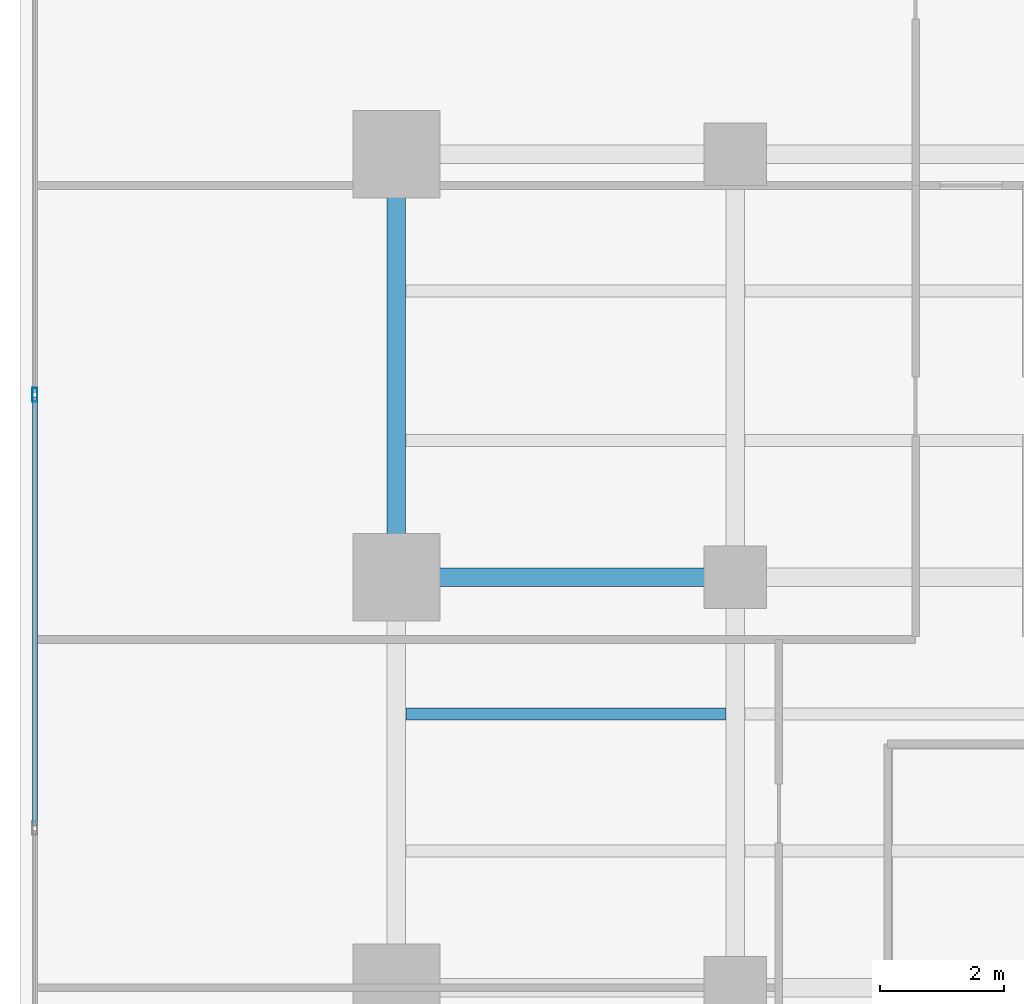
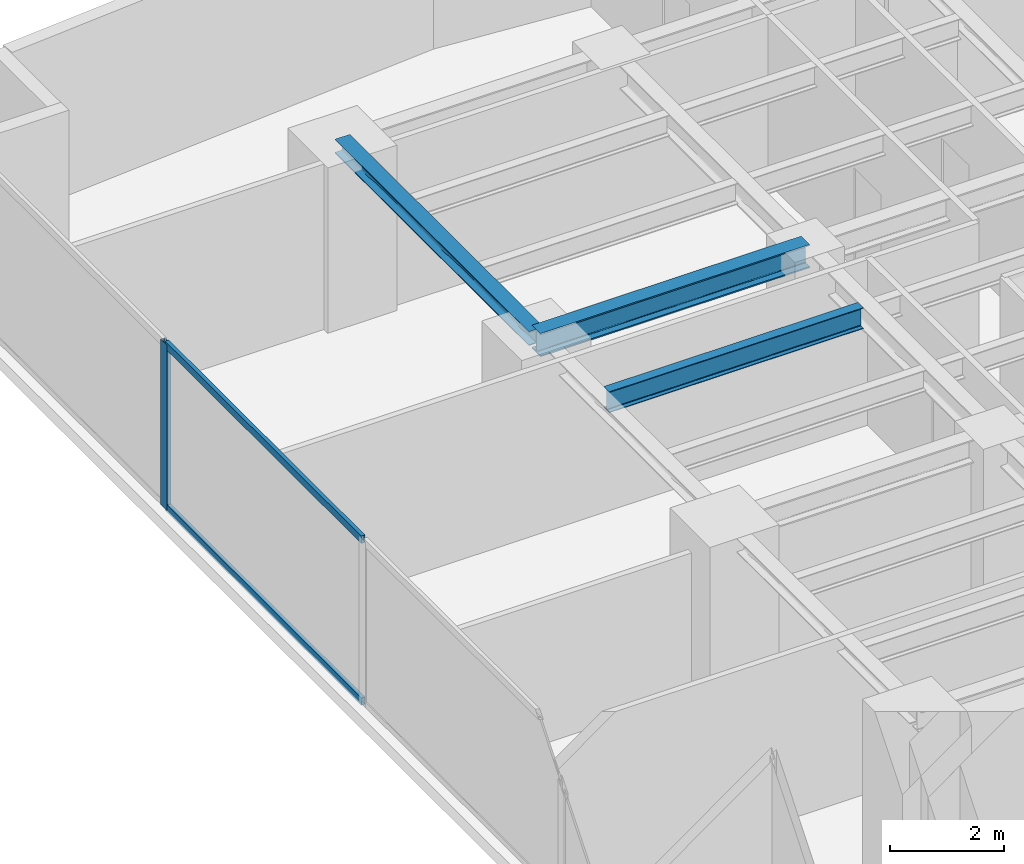
# One storey, part 15 of 27: 3 beams, 3 members, 1 element without a shape of its own.
"""IFC4 building model written with IfcOpenShell, lengths in metres."""

import ifcopenshell
import ifcopenshell.guid

model = None  # the IFC model being written
_history = None  # IfcOwnerHistory: only IFC2X3 demands one
_inside = {}  # id of a spatial element -> (the spatial element, [elements in it])
_under = {}  # id of a project, library or spatial element -> (it, [spatial elements below it])
_declared = {}  # id of a project -> (the project, [libraries it declares])
_typed = {}  # id of a type object -> (the type object, [elements of that type])
_made_of = {}  # id of a material, layer set ... -> (it, [elements and type objects made of it])


def new_model(schema):
    """Start an empty IFC model of exactly this schema.

    Asked for "IFC4X3", IfcOpenShell would pick the latest addendum, in which some entities
    have other attributes; the version numbers below select the first issue.
    IFC2X3 requires an IfcOwnerHistory on every rooted entity: one is made here for all.
    """
    global model, _history
    if schema == "IFC4X3":
        model = ifcopenshell.file(schema_version=(4, 3, 0, 0))
    else:
        model = ifcopenshell.file(schema=schema)
    _inside.clear()
    _under.clear()
    _declared.clear()
    _typed.clear()
    _made_of.clear()
    _history = None
    if model.schema == "IFC2X3":
        org = make("IfcOrganization", Name="unknown")
        user = make(
            "IfcPersonAndOrganization",
            ThePerson=make("IfcPerson", FamilyName="unknown"),
            TheOrganization=org,
        )
        app = make(
            "IfcApplication",
            ApplicationDeveloper=org,
            Version="unknown",
            ApplicationFullName="unknown",
            ApplicationIdentifier="unknown",
        )
        _history = make(
            "IfcOwnerHistory",
            OwningUser=user,
            OwningApplication=app,
            ChangeAction="ADDED",
            CreationDate=0,
        )
    return model


def make(cls, **values):
    """One entity of the class cls with the attributes given. An attribute that is None is left unset."""
    return model.create_entity(
        cls, **{name: value for name, value in values.items() if value is not None}
    )


def rooted(cls, **values):
    """An entity with a GlobalId (a new one), such as an element, a storey or a relation."""
    return make(cls, GlobalId=ifcopenshell.guid.new(), OwnerHistory=_history, **values)


def si_unit(unit_type, name, prefix=None):
    """IfcSIUnit, for example si_unit("LENGTHUNIT", "METRE", prefix="MILLI")."""
    return make("IfcSIUnit", UnitType=unit_type, Prefix=prefix, Name=name)


def assignment(units):
    """IfcUnitAssignment: the units of a project."""
    return None if units is None else make("IfcUnitAssignment", Units=units)


def point(xyz):
    """IfcCartesianPoint."""
    return None if xyz is None else make("IfcCartesianPoint", Coordinates=xyz)


def direction(xyz):
    """IfcDirection."""
    return None if xyz is None else make("IfcDirection", DirectionRatios=xyz)


def frame(location, z_axis=None, x_axis=None):
    """IfcAxis2Placement3D, a coordinate frame: its origin and axes. An axis left out is left unset."""
    return make(
        "IfcAxis2Placement3D",
        Location=point(location),
        Axis=direction(z_axis),
        RefDirection=direction(x_axis),
    )


def frame_2d(location, x_axis=None):
    """IfcAxis2Placement2D, a coordinate frame in the plane: its origin and x axis."""
    return make(
        "IfcAxis2Placement2D", Location=point(location), RefDirection=direction(x_axis)
    )


def origin():
    """The frame at (0, 0, 0) with its axes left unset."""
    return frame((0.0, 0.0, 0.0))


def origin_with_axes():
    """The frame at (0, 0, 0) with the z axis (0, 0, 1) and the x axis (1, 0, 0) written out."""
    return frame((0.0, 0.0, 0.0), z_axis=(0.0, 0.0, 1.0), x_axis=(1.0, 0.0, 0.0))


def origin_2d():
    """The frame at (0, 0) in the plane with its x axis left unset."""
    return frame_2d((0.0, 0.0))


def place(relative_to, where):
    """IfcLocalPlacement: puts the frame where relative to a parent placement (None: the world)."""
    return make(
        "IfcLocalPlacement", PlacementRelTo=relative_to, RelativePlacement=where
    )


def context(
    kind, dimensions, precision=None, world=None, true_north=None, identifier=None
):
    """IfcGeometricRepresentationContext, for example the 3D "Model" context."""
    return make(
        "IfcGeometricRepresentationContext",
        ContextIdentifier=identifier,
        ContextType=kind,
        CoordinateSpaceDimension=dimensions,
        Precision=precision,
        WorldCoordinateSystem=world,
        TrueNorth=true_north,
    )


def subcontext(parent, identifier, kind, view, scale=None):
    """IfcGeometricRepresentationSubContext, for example "Body" below "Model"."""
    return make(
        "IfcGeometricRepresentationSubContext",
        ContextIdentifier=identifier,
        ContextType=kind,
        ParentContext=parent,
        TargetScale=scale,
        TargetView=view,
    )


def project(units=None, contexts=None):
    """IfcProject with its units and contexts."""
    return rooted(
        "IfcProject",
        Name="project",
        RepresentationContexts=contexts,
        UnitsInContext=assignment(units),
    )


def spatial(cls, under=None, at=None, **own):
    """A site, building, storey or space (cls), placed at a placement, below another one or the project."""
    s = rooted(cls, ObjectPlacement=at, **own)
    if under is not None:
        _under.setdefault(under.id(), (under, []))[1].append(s)
    return s


def profile(cls, at=None, kind="AREA", **sizes):
    """A parametric profile (cls). Its sizes go by their IFC names, for example OverallWidth=200.0."""
    return make(cls, ProfileType=kind, Position=at, **sizes)


def hollow_rectangle(**sizes):
    """IfcRectangleHollowProfileDef."""
    return profile("IfcRectangleHollowProfileDef", **sizes)


def i_section(**sizes):
    """IfcIShapeProfileDef."""
    return profile("IfcIShapeProfileDef", **sizes)


def extrude(swept, where, along, depth):
    """IfcExtrudedAreaSolid: the profile swept, set in the frame where, extruded along a direction by depth."""
    return make(
        "IfcExtrudedAreaSolid",
        SweptArea=swept,
        Position=where,
        ExtrudedDirection=direction(along),
        Depth=depth,
    )


def shape(context_of_items, identifier, shape_type, items):
    """IfcShapeRepresentation: the items that make up one representation, for example the "Body"."""
    return make(
        "IfcShapeRepresentation",
        ContextOfItems=context_of_items,
        RepresentationIdentifier=identifier,
        RepresentationType=shape_type,
        Items=items,
    )


def source(mapping_origin, context_of_items, identifier, shape_type, items):
    """IfcRepresentationMap: a shape defined once, which mapped items show again and again."""
    return make(
        "IfcRepresentationMap",
        MappingOrigin=mapping_origin,
        MappedRepresentation=shape(context_of_items, identifier, shape_type, items),
    )


def transform(
    local_origin,
    x_axis=None,
    y_axis=None,
    z_axis=None,
    scale=None,
    scale2=None,
    scale3=None,
    uniform=True,
):
    """IfcCartesianTransformationOperator3D, or its non-uniform kind. x_axis, y_axis, z_axis: its Axis1, 2, 3."""
    if uniform:
        return make(
            "IfcCartesianTransformationOperator3D",
            Axis1=direction(x_axis),
            Axis2=direction(y_axis),
            LocalOrigin=point(local_origin),
            Scale=scale,
            Axis3=direction(z_axis),
        )
    return make(
        "IfcCartesianTransformationOperator3DnonUniform",
        Axis1=direction(x_axis),
        Axis2=direction(y_axis),
        LocalOrigin=point(local_origin),
        Scale=scale,
        Axis3=direction(z_axis),
        Scale2=scale2,
        Scale3=scale3,
    )


def mapped(mapping_source, mapping_target):
    """IfcMappedItem: shows the shape of a source again, moved by a transform."""
    return make(
        "IfcMappedItem", MappingSource=mapping_source, MappingTarget=mapping_target
    )


def material(Name=None, Category=None):
    """IfcMaterial."""
    return make("IfcMaterial", Name=Name, Category=Category)


def layer(
    of_material, thickness, ventilated=None, Name=None, Category=None, Priority=None
):
    """IfcMaterialLayer: one layer of a wall or slab, of a material (None: an air gap)."""
    return make(
        "IfcMaterialLayer",
        Material=of_material,
        LayerThickness=thickness,
        IsVentilated=ventilated,
        Name=Name,
        Category=Category,
        Priority=Priority,
    )


def layer_set(layers, Name=None):
    """IfcMaterialLayerSet."""
    return make("IfcMaterialLayerSet", MaterialLayers=layers, LayerSetName=Name)


def material_profile(
    of_material, cross_section, Name=None, Category=None, Priority=None
):
    """IfcMaterialProfile: a cross section and its material."""
    return make(
        "IfcMaterialProfile",
        Name=Name,
        Material=of_material,
        Profile=cross_section,
        Priority=Priority,
        Category=Category,
    )


def profile_set(profiles, Name=None, composite=None):
    """IfcMaterialProfileSet."""
    return make(
        "IfcMaterialProfileSet",
        Name=Name,
        MaterialProfiles=profiles,
        CompositeProfile=composite,
    )


def made_of(thing, what):
    """Note that an element or type object is made of a material, layer set ...; save() writes the relation."""
    if what is not None:
        _made_of.setdefault(what.id(), (what, []))[1].append(thing)
    return thing


def type_object(cls, material=None, **own):
    """A type object (cls), such as IfcWallType, which elements share."""
    return made_of(rooted(cls, **own), material)


def element(
    cls,
    number,
    at=None,
    inside=None,
    cuts=None,
    type_object=None,
    material=None,
    context=None,
    identifier="Body",
    shape_type=None,
    held_by="IfcProductDefinitionShape",
    body=None,
    shapes=None,
    **own,
):
    """One element of the class cls, such as IfcWall. Its Tag is "e" and its number.

    at: its placement. inside: the storey or other place that contains it. cuts: it is an
    opening in that element (IfcRelVoidsElement). A single representation is given by context,
    identifier, shape_type and body (its items); several are given by shapes. held_by: the class
    of the entity that holds the representations. save() writes the other relations.
    """
    e = rooted(cls, Tag="e%d" % number, ObjectPlacement=at, **own)
    if body is not None:
        shapes = [shape(context, identifier, shape_type, body)]
    if shapes is not None:
        e.Representation = make(held_by, Representations=shapes)
    if inside is not None:
        _inside.setdefault(inside.id(), (inside, []))[1].append(e)
    if cuts is not None:
        rooted(
            "IfcRelVoidsElement", RelatingBuildingElement=cuts, RelatedOpeningElement=e
        )
    if type_object is not None:
        _typed.setdefault(type_object.id(), (type_object, []))[1].append(e)
    return made_of(e, material)


def aggregate(whole, parts):
    """IfcRelAggregates: a whole, such as a stair, and the parts it consists of."""
    return rooted("IfcRelAggregates", RelatingObject=whole, RelatedObjects=parts)


def save(model, path):
    """Write the relations noted so far, then the file.

    IfcRelAggregates (storeys below a building ...), IfcRelContainedInSpatialStructure (elements
    in a storey), IfcRelDefinesByType, IfcRelAssociatesMaterial and IfcRelDeclares: one each for
    every whole, place, type object, material and project.
    """
    for whole, parts in _under.values():
        aggregate(whole, parts)
    for where, things in _inside.values():
        rooted(
            "IfcRelContainedInSpatialStructure",
            RelatedElements=things,
            RelatingStructure=where,
        )
    for kind, things in _typed.values():
        rooted("IfcRelDefinesByType", RelatedObjects=things, RelatingType=kind)
    for what, things in _made_of.values():
        rooted("IfcRelAssociatesMaterial", RelatedObjects=things, RelatingMaterial=what)
    for by, libraries in _declared.values():
        rooted("IfcRelDeclares", RelatingContext=by, RelatedDefinitions=libraries)
    model.write(path)


model = new_model("IFC4")

# Units and contexts
model_context = context("Model", 3, precision=1e-05, world=origin(), true_north=direction((0.0, 1.0)))
body_context = subcontext(model_context, "Body", "Model", "MODEL_VIEW")
ifc_project = project(units=[si_unit("LENGTHUNIT", "METRE"), si_unit("AREAUNIT", "SQUARE_METRE"), si_unit("VOLUMEUNIT", "CUBIC_METRE"), si_unit("PLANEANGLEUNIT", "RADIAN"), si_unit("MASSUNIT", "GRAM", prefix="KILO")], contexts=[model_context])

# Site, building, storey
site_placement = place(None, origin())
site = spatial("IfcSite", under=ifc_project, at=site_placement, CompositionType="ELEMENT")
building_placement = place(site_placement, origin())
building = spatial("IfcBuilding", under=site, at=building_placement, Name="Kolvaren Waterfront Exchange", CompositionType="ELEMENT")
storey_placement = place(building_placement, frame((0.0, 0.0, 118.300048828125)))
storey = spatial("IfcBuildingStorey", under=building, at=storey_placement, Name="L30", CompositionType="ELEMENT", Elevation=118.300048828125)

# Beams
ifc_material_1 = material(Name="Steel S355", Category="steel")
ifc_material_profile_1 = material_profile(ifc_material_1, i_section(OverallWidth=0.300048828125, OverallDepth=0.300048828125, WebThickness=0.010986328125, FlangeThickness=0.01904296875, FilletRadius=0.027099609375, at=origin_2d()), Name="HEB300")
ifc_profile_set_1 = profile_set([ifc_material_profile_1], Name="Steel S355")
beam_type_1 = type_object("IfcBeamType", Name="STR-BM-HEB300", PredefinedType="SPANDREL", material=ifc_profile_set_1)
beam_1_placement = place(storey_placement, frame((7.449951171875, 37.800048828125, 3.389892578125), z_axis=(0.0, 1.0, 0.0), x_axis=(-1.0, 0.0, 0.0)))
element("IfcBeam", 1, at=beam_1_placement, inside=storey, type_object=beam_type_1, Name="L30 north-arm edge beam 3", PredefinedType="SPANDREL", context=body_context, shape_type="SweptSolid", body=[
    extrude(i_section(OverallWidth=0.300048828125, OverallDepth=0.300048828125, WebThickness=0.010986328125, FlangeThickness=0.01904296875, FilletRadius=0.027099609375, at=origin_2d()), origin(), (0.0, 0.0, 1.0), 6.800048828125),
])
ifc_material_profile_2 = material_profile(ifc_material_1, i_section(OverallWidth=0.300048828125, OverallDepth=0.5, WebThickness=0.014404296875, FlangeThickness=0.028076171875, FilletRadius=0.027099609375, at=origin_2d()), Name="HEB500")
ifc_profile_set_2 = profile_set([ifc_material_profile_2], Name="Steel S355")
beam_type_2 = type_object("IfcBeamType", Name="STR-BM-HEB500", PredefinedType="BEAM", material=ifc_profile_set_2)
beam_2_placement = place(storey_placement, frame((7.449951171875, 37.800048828125, 3.2900390625), z_axis=(1.0, 0.0, 0.0), x_axis=(0.0, 1.0, 0.0)))
element("IfcBeam", 2, at=beam_2_placement, inside=storey, type_object=beam_type_2, Name="L30 north-arm girder 3A", PredefinedType="BEAM", context=body_context, shape_type="SweptSolid", body=[
    extrude(i_section(OverallWidth=0.300048828125, OverallDepth=0.5, WebThickness=0.014404296875, FlangeThickness=0.028076171875, FilletRadius=0.027099609375, at=origin_2d()), origin(), (0.0, 0.0, 1.0), 5.449951171875),
])
ifc_material_profile_3 = material_profile(ifc_material_1, i_section(OverallWidth=0.18994140625, OverallDepth=0.449951171875, WebThickness=0.009521484375, FlangeThickness=0.0146484375, FilletRadius=0.02099609375, at=origin_2d()), Name="IPE450")
ifc_profile_set_3 = profile_set([ifc_material_profile_3], Name="Steel S355")
beam_type_3 = type_object("IfcBeamType", Name="STR-BM-IPE450", PredefinedType="JOIST", material=ifc_profile_set_3)
beam_3_placement = place(storey_placement, frame((7.60205078125, 35.60009765625, 3.31494140625), z_axis=(1.0, 0.0, 0.0), x_axis=(0.0, 1.0, 0.0)))
element("IfcBeam", 3, at=beam_3_placement, inside=storey, type_object=beam_type_3, Name="L30 north-arm composite joist 4A", PredefinedType="JOIST", context=body_context, shape_type="SweptSolid", body=[
    extrude(i_section(OverallWidth=0.18994140625, OverallDepth=0.449951171875, WebThickness=0.009521484375, FlangeThickness=0.0146484375, FilletRadius=0.02099609375, at=origin_2d()), origin(), (0.0, 0.0, 1.0), 5.14599609375),
])

# Curtain wall, members
ifc_material_2 = material(Name="Anodised aluminium 6063-T6", Category="aluminium")
ifc_layer = layer(ifc_material_2, 0.219970703125, Name="Anodised aluminium 6063-T6")
ifc_layer_set = layer_set([ifc_layer], Name="Anodised aluminium 6063-T6")
curtain_wall_type = type_object("IfcCurtainWallType", Name="ARC-CW-SYS2", PredefinedType="USERDEFINED", material=ifc_layer_set)
curtain_wall_placement = place(storey_placement, origin())
curtain_wall = element("IfcCurtainWall", 4, at=curtain_wall_placement, inside=storey, type_object=curtain_wall_type, Name="L30 stick curtain wall CW2 (CW-L30-W)", ObjectType="STICK CURTAIN WALL", PredefinedType="USERDEFINED")
ifc_material_profile_4 = material_profile(ifc_material_2, hollow_rectangle(XDim=0.080078125, YDim=0.219970703125, WallThickness=0.0048828125, at=origin_2d()), Name="ALU-MUL-220x80x5")
ifc_profile_set_4 = profile_set([ifc_material_profile_4], Name="Anodised aluminium 6063-T6")
member_type_1 = type_object("IfcMemberType", Name="ARC-CWM-220", PredefinedType="MULLION", material=ifc_profile_set_4)
shared_shape_1 = source(origin_with_axes(), body_context, "Body", "SweptSolid", [
    extrude(hollow_rectangle(XDim=0.080078125, YDim=0.219970703125, WallThickness=0.0048828125, at=origin_2d()), origin(), (0.0, 0.0, 1.0), 3.5400390625),
])
member_1_placement = place(storey_placement, frame((1.639892578125, 40.7333984375, 0.0), z_axis=(0.0, 0.0, 1.0), x_axis=(-1.0, 0.0, 0.0)))
member_1 = element("IfcMember", 5, at=member_1_placement, type_object=member_type_1, Name="CW2 mullion 6", PredefinedType="MULLION", context=body_context, shape_type="MappedRepresentation", body=[
    mapped(shared_shape_1, transform((0.0, 0.0, 0.0), x_axis=(1.0, 0.0, 0.0), y_axis=(0.0, 1.0, 0.0), z_axis=(0.0, 0.0, 1.0), scale=1.0)),
])
ifc_material_profile_5 = material_profile(ifc_material_2, hollow_rectangle(XDim=0.074951171875, YDim=0.159912109375, WallThickness=0.00439453125, at=origin_2d()), Name="ALU-TRN-160x75x4.5")
ifc_profile_set_5 = profile_set([ifc_material_profile_5], Name="Anodised aluminium 6063-T6")
member_type_2 = type_object("IfcMemberType", Name="ARC-CWT-160", PredefinedType="USERDEFINED", material=ifc_profile_set_5)
shared_shape_2 = source(origin_with_axes(), body_context, "Body", "SweptSolid", [
    extrude(hollow_rectangle(XDim=0.074951171875, YDim=0.159912109375, WallThickness=0.00439453125, at=origin_2d()), origin(), (0.0, 0.0, 1.0), 6.88671875),
])
member_2_placement = place(storey_placement, frame((1.639892578125, 33.806640625, 0.037353515625), z_axis=(0.0, 1.0, 0.0), x_axis=(-1.0, 0.0, 0.0)))
member_2 = element("IfcMember", 6, at=member_2_placement, type_object=member_type_2, Name="CW2 transom 5.1", ObjectType="TRANSOM", PredefinedType="USERDEFINED", context=body_context, shape_type="MappedRepresentation", body=[
    mapped(shared_shape_2, transform((0.0, 0.0, 0.0), x_axis=(1.0, 0.0, 0.0), y_axis=(0.0, 1.0, 0.0), z_axis=(0.0, 0.0, 1.0), scale=1.0)),
])
member_3_placement = place(storey_placement, frame((1.639892578125, 33.806640625, 3.50244140625), z_axis=(0.0, 1.0, 0.0), x_axis=(-1.0, 0.0, 0.0)))
member_3 = element("IfcMember", 7, at=member_3_placement, type_object=member_type_2, Name="CW2 transom 5.2", ObjectType="TRANSOM", PredefinedType="USERDEFINED", context=body_context, shape_type="MappedRepresentation", body=[
    mapped(shared_shape_2, transform((0.0, 0.0, 0.0), x_axis=(1.0, 0.0, 0.0), y_axis=(0.0, 1.0, 0.0), z_axis=(0.0, 0.0, 1.0), scale=1.0)),
])
aggregate(curtain_wall, [member_1, member_2, member_3])

save(model, "model.ifc")
